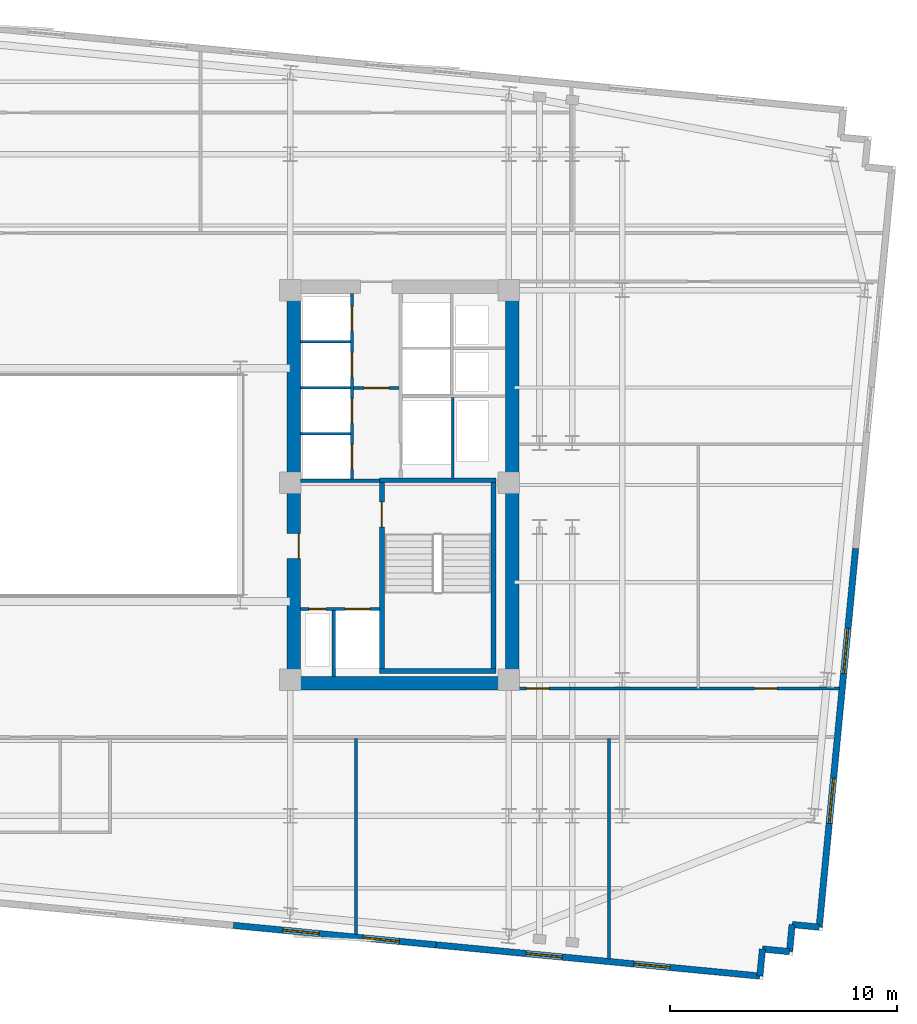
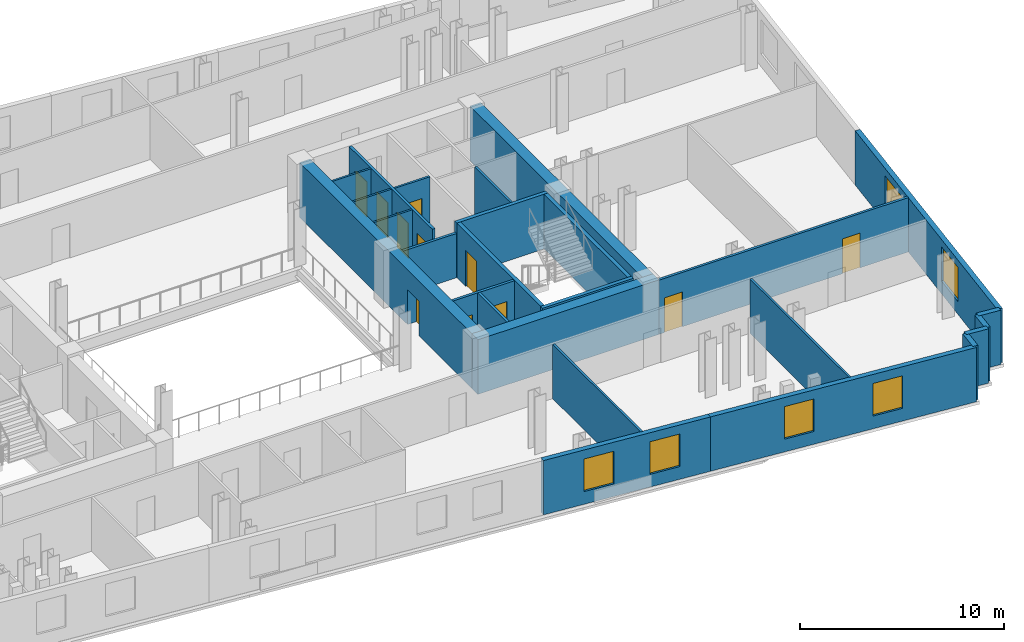
# One storey, part 5 of 9: 26 walls, 11 doors, 6 windows, 17 openings.
"""IFC4 building model written with IfcOpenShell, lengths in metres."""

from ifc_helpers import new_model, si_unit, direction, frame, frame_2d, origin, place, context, subcontext, project, spatial, rectangle, extrude, material, layer, layer_set, type_object, element, fill, save


model = new_model("IFC4")

# Units and contexts
model_context = context("Model", 3, precision=1e-05, world=origin(), true_north=direction((0.0, 1.0)))
body_context = subcontext(model_context, "Body", "Model", "MODEL_VIEW")
ifc_project = project(units=[si_unit("LENGTHUNIT", "METRE"), si_unit("AREAUNIT", "SQUARE_METRE"), si_unit("VOLUMEUNIT", "CUBIC_METRE"), si_unit("PLANEANGLEUNIT", "RADIAN"), si_unit("MASSUNIT", "GRAM", prefix="KILO")], contexts=[model_context])

# Site, building, storey
site_placement = place(None, origin())
site = spatial("IfcSite", under=ifc_project, at=site_placement, CompositionType="ELEMENT")
building_placement = place(site_placement, origin())
building = spatial("IfcBuilding", under=site, at=building_placement, Name="Velakula Bourse", CompositionType="ELEMENT")
storey_placement = place(building_placement, frame((0.0, 0.0, 184.550048828125)))
storey = spatial("IfcBuildingStorey", under=building, at=storey_placement, Name="L50", CompositionType="ELEMENT", Elevation=184.550048828125)

# Wall, opening, door
ifc_material_1 = material(Name="Concrete M50 (fck 50 MPa)", Category="concrete")
ifc_layer_1 = layer(ifc_material_1, 0.2099609375, Name="Concrete M50 (fck 50 MPa)", Category="concrete")
ifc_layer_set_1 = layer_set([ifc_layer_1], Name="Concrete M50 (fck 50 MPa)")
wall_type_1 = type_object("IfcWallType", Name="WL-CORE-210", PredefinedType="SHEAR", material=ifc_layer_set_1)
wall_1_placement = place(storey_placement, frame((12.9951171875, -8.10009765625, 0.0), z_axis=(0.0, 0.0, 1.0), x_axis=(0.0, 1.0, 0.0)))
wall_1 = element("IfcWall", 1, at=wall_1_placement, inside=storey, type_object=wall_type_1, Name="L50 Core E Stairwell Shear Wall IN", PredefinedType="SHEAR", context=body_context, shape_type="SweptSolid", body=[
    extrude(rectangle(XDim=8.2001953125, YDim=0.2099609375, at=frame_2d((4.10009765625, 0.0))), origin(), (0.0, 0.0, 1.0), 3.27001953125),
])
opening_1_placement = place(wall_1_placement, frame((6.25, 0.0, 0.0)))
opening_1 = element("IfcOpeningElement", 2, at=opening_1_placement, cuts=wall_1, Name="Opening D-STE1", PredefinedType="OPENING", context=body_context, shape_type="SweptSolid", body=[
    extrude(rectangle(XDim=1.10009765625, YDim=2.14990234375, at=frame_2d((0.550048828125, 1.074951171875))), frame((0.0, 0.114990234375, 0.0), z_axis=(0.0, -1.0, 0.0), x_axis=(1.0, 0.0, 0.0)), (0.0, 0.0, 1.0), 0.22998046875),
])
ifc_material_2 = material(Name="Galvanised painted hollow steel fire door", Category="steel")
door_type_1 = type_object("IfcDoorType", Name="DR-FD120-1100x2150", OperationType="NOTDEFINED", PredefinedType="DOOR", material=ifc_material_2)
door_1_placement = place(opening_1_placement, origin())
door_1 = element("IfcDoor", 3, at=door_1_placement, inside=storey, type_object=door_type_1, Name="L50 Stair ST-E1 Fire Door", OperationType="SINGLE_SWING_RIGHT", OverallHeight=2.14990234375, OverallWidth=1.10009765625, PredefinedType="DOOR", context=body_context, shape_type="SweptSolid", body=[
    extrude(rectangle(XDim=1.10009765625, YDim=2.14990234375, at=frame_2d((0.550048828125, 1.074951171875))), frame((0.0, 0.02490234375, 0.0), z_axis=(0.0, -1.0, 0.0), x_axis=(1.0, 0.0, 0.0)), (0.0, 0.0, 1.0), 0.050048828125),
])
fill(opening_1, door_1)

# Walls
wall_2_placement = place(storey_placement, frame((17.925048828125, -8.10009765625, 0.0), z_axis=(0.0, 0.0, 1.0), x_axis=(0.0, 1.0, 0.0)))
element("IfcWall", 4, at=wall_2_placement, inside=storey, type_object=wall_type_1, Name="L50 Core E Stairwell Shear Wall OUT", PredefinedType="SHEAR", context=body_context, shape_type="SweptSolid", body=[
    extrude(rectangle(XDim=8.2001953125, YDim=0.2099609375, at=frame_2d((4.10009765625, 0.0))), origin(), (0.0, 0.0, 1.0), 3.27001953125),
])
for number, where, z_axis, x_axis, name in (
    (5, (12.889892578125, -8.205078125, 0.0), (0.0, 0.0, 1.0), (1.0, 0.0, 0.0), "L50 Core E Stairwell Shear Wall S"),
    (6, (18.030029296875, 0.205078125, 0.0), (0.0, 0.0, 1.0), (-1.0, 0.0, 0.0), "L50 Core E Stairwell Shear Wall N"),
):
    element("IfcWall", number, at=place(storey_placement, frame(where, z_axis=z_axis, x_axis=x_axis)), inside=storey, type_object=wall_type_1, Name=name, PredefinedType="SHEAR", context=body_context, shape_type="SweptSolid", body=[
        extrude(rectangle(XDim=5.14013671875, YDim=0.2099609375, at=frame_2d((2.570068359375, 0.0))), origin(), (0.0, 0.0, 1.0), 3.27001953125),
    ])
ifc_material_3 = material(Name="Concrete M70 (fck 70 MPa)", Category="concrete")
ifc_layer_2 = layer(ifc_material_3, 0.60009765625, Name="Concrete M70 (fck 70 MPa)", Category="concrete")
ifc_layer_set_2 = layer_set([ifc_layer_2], Name="Concrete M70 (fck 70 MPa)")
wall_type_2 = type_object("IfcWallType", Name="WL-CORE-600", PredefinedType="SHEAR", material=ifc_layer_set_2)
wall_3_placement = place(storey_placement, frame((8.800048828125, -8.75, 0.0), z_axis=(0.0, 0.0, 1.0), x_axis=(1.0, 0.0, 0.0)))
element("IfcWall", 7, at=wall_3_placement, inside=storey, type_object=wall_type_2, Name="L50 Core E Shear Wall S", PredefinedType="SHEAR", context=body_context, shape_type="SweptSolid", body=[
    extrude(rectangle(XDim=10.25, YDim=0.60009765625, at=frame_2d((5.125, 0.0))), origin(), (0.0, 0.0, 1.0), 3.27001953125),
])

# Wall, opening, door
wall_4_placement = place(storey_placement, frame((9.10009765625, -8.449951171875, 0.0), z_axis=(0.0, 0.0, 1.0), x_axis=(0.0, 1.0, 0.0)))
wall_4 = element("IfcWall", 8, at=wall_4_placement, inside=storey, type_object=wall_type_2, Name="L50 Core E Shear Wall W", PredefinedType="SHEAR", context=body_context, shape_type="SweptSolid", body=[
    extrude(rectangle(XDim=16.89990234375, YDim=0.60009765625, at=frame_2d((8.449951171875, 0.0))), origin(), (0.0, 0.0, 1.0), 3.27001953125),
])
opening_2_placement = place(wall_4_placement, frame((5.199951171875, 0.0, 0.0)))
opening_2 = element("IfcOpeningElement", 9, at=opening_2_placement, cuts=wall_4, Name="Opening D-FLE", PredefinedType="OPENING", context=body_context, shape_type="SweptSolid", body=[
    extrude(rectangle(XDim=1.10009765625, YDim=2.080078125, at=frame_2d((0.550048828125, 1.0400390625))), frame((0.0, 0.31005859375, 0.0), z_axis=(0.0, -1.0, 0.0), x_axis=(1.0, 0.0, 0.0)), (0.0, 0.0, 1.0), 0.6201171875),
])
door_type_2 = type_object("IfcDoorType", Name="DR-FD120-1100", OperationType="NOTDEFINED", PredefinedType="DOOR", material=ifc_material_2)
door_2_placement = place(opening_2_placement, origin())
door_2 = element("IfcDoor", 10, at=door_2_placement, inside=storey, type_object=door_type_2, Name="L50 Firefighting Lobby E Corridor Fire Door", OperationType="SINGLE_SWING_RIGHT", OverallHeight=2.080078125, OverallWidth=1.10009765625, PredefinedType="DOOR", context=body_context, shape_type="SweptSolid", body=[
    extrude(rectangle(XDim=1.10009765625, YDim=2.080078125, at=frame_2d((0.550048828125, 1.0400390625))), frame((0.0, -0.205078125, 0.0), z_axis=(0.0, -1.0, 0.0), x_axis=(1.0, 0.0, 0.0)), (0.0, 0.0, 1.0), 0.050048828125),
])
fill(opening_2, door_2)

# Wall
wall_5_placement = place(storey_placement, frame((18.75, -8.449951171875, 0.0), z_axis=(0.0, 0.0, 1.0), x_axis=(0.0, 1.0, 0.0)))
element("IfcWall", 11, at=wall_5_placement, inside=storey, type_object=wall_type_2, Name="L50 Core E Shear Wall E", PredefinedType="SHEAR", context=body_context, shape_type="SweptSolid", body=[
    extrude(rectangle(XDim=16.89990234375, YDim=0.60009765625, at=frame_2d((8.449951171875, 0.0))), origin(), (0.0, 0.0, 1.0), 3.27001953125),
])

# Wall, openings, windows
ifc_material_4 = material(Name="Red kilned clay facing brick masonry", Category="masonry")
ifc_layer_3 = layer(ifc_material_4, 0.280029296875, Name="Red kilned clay facing brick masonry", Category="masonry")
ifc_layer_set_3 = layer_set([ifc_layer_3], Name="Red kilned clay facing brick masonry")
wall_type_3 = type_object("IfcWallType", Name="WL-EXT-BRK-280", PredefinedType="STANDARD", material=ifc_layer_set_3)
wall_6_placement = place(storey_placement, frame((15.398681640625, -20.295654296875, 0.0), z_axis=(0.0, 0.0, 1.0), x_axis=(-0.995394455533, 0.09586385082, 0.0)))
wall_6 = element("IfcWall", 12, at=wall_6_placement, inside=storey, type_object=wall_type_3, Name="L50 S Brick Spandrel Wall B4", PredefinedType="STANDARD", context=body_context, shape_type="SweptSolid", body=[
    extrude(rectangle(XDim=9.000244140625, YDim=0.280029296875, at=frame_2d((4.5, 0.0))), origin(), (0.0, 0.0, 1.0), 3.25),
])
opening_3_placement = place(wall_6_placement, frame((1.64990234375, 0.0, 0.760009765625)))
opening_3 = element("IfcOpeningElement", 13, at=opening_3_placement, cuts=wall_6, Name="Opening W-02", PredefinedType="OPENING", context=body_context, shape_type="SweptSolid", body=[
    extrude(rectangle(XDim=1.60009765625, YDim=1.949951171875, at=frame_2d((0.800048828125, 0.97509765625))), frame((0.0, 0.14990234375, 0.0), z_axis=(0.0, -1.0, 0.0), x_axis=(1.0, 0.0, 0.0)), (0.0, 0.0, 1.0), 0.300048828125),
])
opening_4_placement = place(wall_6_placement, frame((5.199951171875, 0.0, 0.760009765625)))
opening_4 = element("IfcOpeningElement", 14, at=opening_4_placement, cuts=wall_6, Name="Opening W-02", PredefinedType="OPENING", context=body_context, shape_type="SweptSolid", body=[
    extrude(rectangle(XDim=1.60009765625, YDim=1.949951171875, at=frame_2d((0.800048828125, 0.97509765625))), frame((0.0, 0.14990234375, 0.0), z_axis=(0.0, -1.0, 0.0), x_axis=(1.0, 0.0, 0.0)), (0.0, 0.0, 1.0), 0.300048828125),
])
ifc_material_5 = material(Name="Double-glazed solar-control Low-E glass", Category="glass")
window_type_1 = type_object("IfcWindowType", Name="WIN-TWR-1600x2100", PartitioningType="SINGLE_PANEL", PredefinedType="WINDOW", material=ifc_material_5)
window_1_placement = place(opening_3_placement, origin())
window_1 = element("IfcWindow", 15, at=window_1_placement, inside=storey, type_object=window_type_1, Name="L50 Deep-Set Recessed Window 1", OverallHeight=1.949951171875, OverallWidth=1.60009765625, PartitioningType="SINGLE_PANEL", PredefinedType="WINDOW", context=body_context, shape_type="SweptSolid", body=[
    extrude(rectangle(XDim=1.60009765625, YDim=1.949951171875, at=frame_2d((0.800048828125, 0.97509765625))), frame((0.0, 0.030029296875, 0.0), z_axis=(0.0, -1.0, 0.0), x_axis=(1.0, 0.0, 0.0)), (0.0, 0.0, 1.0), 0.06005859375),
])
fill(opening_3, window_1)
window_2_placement = place(opening_4_placement, origin())
window_2 = element("IfcWindow", 16, at=window_2_placement, inside=storey, type_object=window_type_1, Name="L50 Deep-Set Recessed Window 2", OverallHeight=1.949951171875, OverallWidth=1.60009765625, PartitioningType="SINGLE_PANEL", PredefinedType="WINDOW", context=body_context, shape_type="SweptSolid", body=[
    extrude(rectangle(XDim=1.60009765625, YDim=1.949951171875, at=frame_2d((0.800048828125, 0.97509765625))), frame((0.0, 0.030029296875, 0.0), z_axis=(0.0, -1.0, 0.0), x_axis=(1.0, 0.0, 0.0)), (0.0, 0.0, 1.0), 0.06005859375),
])
fill(opening_4, window_2)

wall_7_placement = place(storey_placement, frame((29.672607421875, -21.669921875, 0.0), z_axis=(0.0, 0.0, 1.0), x_axis=(-0.995397230529, 0.095835032509, 0.0)))
wall_7 = element("IfcWall", 17, at=wall_7_placement, inside=storey, type_object=wall_type_3, Name="L50 S Brick Spandrel Wall B5", PredefinedType="STANDARD", context=body_context, shape_type="SweptSolid", body=[
    extrude(rectangle(XDim=14.33984375, YDim=0.280029296875, at=frame_2d((7.169921875, 0.0))), origin(), (0.0, 0.0, 1.0), 3.25),
])
opening_5_placement = place(wall_7_placement, frame((3.97998046875, 0.0, 0.760009765625)))
opening_5 = element("IfcOpeningElement", 18, at=opening_5_placement, cuts=wall_7, Name="Opening W-02", PredefinedType="OPENING", context=body_context, shape_type="SweptSolid", body=[
    extrude(rectangle(XDim=1.60009765625, YDim=1.949951171875, at=frame_2d((0.800048828125, 0.97509765625))), frame((0.0, 0.14990234375, 0.0), z_axis=(0.0, -1.0, 0.0), x_axis=(1.0, 0.0, 0.0)), (0.0, 0.0, 1.0), 0.300048828125),
])
opening_6_placement = place(wall_7_placement, frame((8.760009765625, 0.0, 0.760009765625)))
opening_6 = element("IfcOpeningElement", 19, at=opening_6_placement, cuts=wall_7, Name="Opening W-02", PredefinedType="OPENING", context=body_context, shape_type="SweptSolid", body=[
    extrude(rectangle(XDim=1.60009765625, YDim=1.949951171875, at=frame_2d((0.800048828125, 0.97509765625))), frame((0.0, 0.14990234375, 0.0), z_axis=(0.0, -1.0, 0.0), x_axis=(1.0, 0.0, 0.0)), (0.0, 0.0, 1.0), 0.300048828125),
])
window_3_placement = place(opening_5_placement, origin())
window_3 = element("IfcWindow", 20, at=window_3_placement, inside=storey, type_object=window_type_1, Name="L50 Deep-Set Recessed Window 1", OverallHeight=1.949951171875, OverallWidth=1.60009765625, PartitioningType="SINGLE_PANEL", PredefinedType="WINDOW", context=body_context, shape_type="SweptSolid", body=[
    extrude(rectangle(XDim=1.60009765625, YDim=1.949951171875, at=frame_2d((0.800048828125, 0.97509765625))), frame((0.0, 0.030029296875, 0.0), z_axis=(0.0, -1.0, 0.0), x_axis=(1.0, 0.0, 0.0)), (0.0, 0.0, 1.0), 0.06005859375),
])
fill(opening_5, window_3)
window_4_placement = place(opening_6_placement, origin())
window_4 = element("IfcWindow", 21, at=window_4_placement, inside=storey, type_object=window_type_1, Name="L50 Deep-Set Recessed Window 2", OverallHeight=1.949951171875, OverallWidth=1.60009765625, PartitioningType="SINGLE_PANEL", PredefinedType="WINDOW", context=body_context, shape_type="SweptSolid", body=[
    extrude(rectangle(XDim=1.60009765625, YDim=1.949951171875, at=frame_2d((0.800048828125, 0.97509765625))), frame((0.0, 0.030029296875, 0.0), z_axis=(0.0, -1.0, 0.0), x_axis=(1.0, 0.0, 0.0)), (0.0, 0.0, 1.0), 0.06005859375),
])
fill(opening_6, window_4)

wall_8_placement = place(storey_placement, frame((33.90087890625, -2.79833984375, 0.0), z_axis=(0.0, 0.0, 1.0), x_axis=(-0.095853434568, -0.99539545864, 0.0)))
wall_8 = element("IfcWall", 22, at=wall_8_placement, inside=storey, type_object=wall_type_3, Name="L50 E Brick End Wall W1", PredefinedType="STANDARD", context=body_context, shape_type="SweptSolid", body=[
    extrude(rectangle(XDim=16.7900390625, YDim=0.280029296875, at=frame_2d((8.39501953125, 0.0))), origin(), (0.0, 0.0, 1.0), 3.25),
])
opening_7_placement = place(wall_8_placement, frame((3.546630859375, 0.0, 0.760009765625)))
opening_7 = element("IfcOpeningElement", 23, at=opening_7_placement, cuts=wall_8, Name="Opening W-05", PredefinedType="OPENING", context=body_context, shape_type="SweptSolid", body=[
    extrude(rectangle(XDim=2.0, YDim=2.050048828125, at=frame_2d((1.0, 1.02490234375))), frame((0.0, 0.14990234375, 0.0), z_axis=(0.0, -1.0, 0.0), x_axis=(1.0, 0.0, 0.0)), (0.0, 0.0, 1.0), 0.300048828125),
])
opening_8_placement = place(wall_8_placement, frame((10.193359375, 0.0, 0.760009765625)))
opening_8 = element("IfcOpeningElement", 24, at=opening_8_placement, cuts=wall_8, Name="Opening W-05", PredefinedType="OPENING", context=body_context, shape_type="SweptSolid", body=[
    extrude(rectangle(XDim=2.0, YDim=2.050048828125, at=frame_2d((1.0, 1.02490234375))), frame((0.0, 0.14990234375, 0.0), z_axis=(0.0, -1.0, 0.0), x_axis=(1.0, 0.0, 0.0)), (0.0, 0.0, 1.0), 0.300048828125),
])
window_type_2 = type_object("IfcWindowType", Name="WIN-TWR-2000x2200", PartitioningType="DOUBLE_PANEL_VERTICAL", PredefinedType="WINDOW", material=ifc_material_5)
window_5_placement = place(opening_7_placement, origin())
window_5 = element("IfcWindow", 25, at=window_5_placement, inside=storey, type_object=window_type_2, Name="L50 Deep-Set Recessed Window 1", OverallHeight=2.050048828125, OverallWidth=2.0, PartitioningType="DOUBLE_PANEL_VERTICAL", PredefinedType="WINDOW", context=body_context, shape_type="SweptSolid", body=[
    extrude(rectangle(XDim=2.0, YDim=2.050048828125, at=frame_2d((1.0, 1.02490234375))), frame((0.0, 0.030029296875, 0.0), z_axis=(0.0, -1.0, 0.0), x_axis=(1.0, 0.0, 0.0)), (0.0, 0.0, 1.0), 0.06005859375),
])
fill(opening_7, window_5)
window_6_placement = place(opening_8_placement, origin())
window_6 = element("IfcWindow", 26, at=window_6_placement, inside=storey, type_object=window_type_2, Name="L50 Deep-Set Recessed Window 2", OverallHeight=2.050048828125, OverallWidth=2.0, PartitioningType="DOUBLE_PANEL_VERTICAL", PredefinedType="WINDOW", context=body_context, shape_type="SweptSolid", body=[
    extrude(rectangle(XDim=2.0, YDim=2.050048828125, at=frame_2d((1.0, 1.02490234375))), frame((0.0, 0.030029296875, 0.0), z_axis=(0.0, -1.0, 0.0), x_axis=(1.0, 0.0, 0.0)), (0.0, 0.0, 1.0), 0.06005859375),
])
fill(opening_8, window_6)

# Walls
for number, where, z_axis, x_axis, name in (
    (27, (29.672607421875, -21.669921875, 0.0), (0.0, 0.0, 1.0), (0.095836473879, 0.995397091755, 0.0), "L50 Serrated Corner Brick Wall SE-1"),
    (28, (29.78759765625, -20.4755859375, 0.0), (0.0, 0.0, 1.0), (0.995397091755, -0.095836473879, 0.0), "L50 Serrated Corner Brick Wall SE-2"),
):
    element("IfcWall", number, at=place(storey_placement, frame(where, z_axis=z_axis, x_axis=x_axis)), inside=storey, type_object=wall_type_3, Name=name, PredefinedType="STANDARD", context=body_context, shape_type="SweptSolid", body=[
        extrude(rectangle(XDim=1.199951171875, YDim=0.280029296875, at=frame_2d((0.60009765625, 0.0))), origin(), (0.0, 0.0, 1.0), 3.25),
    ])
wall_9_placement = place(storey_placement, frame((30.98193359375, -20.590576171875, 0.0), z_axis=(0.0, 0.0, 1.0), x_axis=(0.096018626938, 0.995379537303, 0.0)))
element("IfcWall", 29, at=wall_9_placement, inside=storey, type_object=wall_type_3, Name="L50 Serrated Corner Brick Wall SE-3", PredefinedType="STANDARD", context=body_context, shape_type="SweptSolid", body=[
    extrude(rectangle(XDim=1.2001953125, YDim=0.280029296875, at=frame_2d((0.60009765625, 0.0))), origin(), (0.0, 0.0, 1.0), 3.25),
])
wall_10_placement = place(storey_placement, frame((31.09716796875, -19.39599609375, 0.0), z_axis=(0.0, 0.0, 1.0), x_axis=(0.995397091755, -0.095836473879, 0.0)))
element("IfcWall", 30, at=wall_10_placement, inside=storey, type_object=wall_type_3, Name="L50 Serrated Corner Brick Wall SE-4", PredefinedType="STANDARD", context=body_context, shape_type="SweptSolid", body=[
    extrude(rectangle(XDim=1.199951171875, YDim=0.280029296875, at=frame_2d((0.60009765625, 0.0))), origin(), (0.0, 0.0, 1.0), 3.25),
])

# Wall, opening, door
ifc_material_6 = material(Name="Fire-rated double-layer gypsum drywall partition", Category="gypsum")
ifc_layer_4 = layer(ifc_material_6, 0.1201171875, Name="Fire-rated double-layer gypsum drywall partition", Category="gypsum")
ifc_layer_set_4 = layer_set([ifc_layer_4], Name="Fire-rated double-layer gypsum drywall partition")
wall_type_4 = type_object("IfcWallType", Name="WL-PART-120", PredefinedType="STANDARD", material=ifc_layer_set_4)
wall_11_placement = place(storey_placement, frame((11.75, 4.280029296875, 0.0), z_axis=(0.0, 0.0, 1.0), x_axis=(1.0, 0.0, 0.0)))
wall_11 = element("IfcWall", 31, at=wall_11_placement, inside=storey, type_object=wall_type_4, Name="L50 Interior Partition WL-CRE-L50-LL-K2", PredefinedType="STANDARD", context=body_context, shape_type="SweptSolid", body=[
    extrude(rectangle(XDim=2.0, YDim=0.1201171875, at=frame_2d((1.0, 0.0))), origin(), (0.0, 0.0, 1.0), 3.25),
])
opening_9_placement = place(wall_11_placement, frame((0.449951171875, 0.0, 0.0)))
opening_9 = element("IfcOpeningElement", 32, at=opening_9_placement, cuts=wall_11, Name="Opening D-LK2", PredefinedType="OPENING", context=body_context, shape_type="SweptSolid", body=[
    extrude(rectangle(XDim=1.10009765625, YDim=2.10009765625, at=frame_2d((0.550048828125, 1.050048828125))), frame((0.0, 0.070068359375, 0.0), z_axis=(0.0, -1.0, 0.0), x_axis=(1.0, 0.0, 0.0)), (0.0, 0.0, 1.0), 0.14013671875),
])
ifc_material_7 = material(Name="Fire-rated hardwood flush architectural door", Category="wood")
door_type_3 = type_object("IfcDoorType", Name="DR-FD60-1100x2100", OperationType="NOTDEFINED", PredefinedType="DOOR", material=ifc_material_7)
door_3_placement = place(opening_9_placement, origin())
door_3 = element("IfcDoor", 33, at=door_3_placement, inside=storey, type_object=door_type_3, Name="L50 Core E Lift Lobby Zone Door", OperationType="SINGLE_SWING_LEFT", OverallHeight=2.10009765625, OverallWidth=1.10009765625, PredefinedType="DOOR", context=body_context, shape_type="SweptSolid", body=[
    extrude(rectangle(XDim=1.10009765625, YDim=2.10009765625, at=frame_2d((0.550048828125, 1.050048828125))), frame((0.0, 0.02490234375, 0.0), z_axis=(0.0, -1.0, 0.0), x_axis=(1.0, 0.0, 0.0)), (0.0, 0.0, 1.0), 0.050048828125),
])
fill(opening_9, door_3)

# Walls
for number, where, z_axis, x_axis, name in (
    (34, (9.39990234375, 2.2548828125, 0.0), (0.0, 0.0, 1.0), (1.0, 0.0, 0.0), "L50 Interior Partition WL-CRE-L50-BDIV-0"),
    (35, (9.39990234375, 4.284912109375, 0.0), (0.0, 0.0, 1.0), (1.0, 0.0, 0.0), "L50 Interior Partition WL-CRE-L50-BDIV-1"),
    (36, (9.39990234375, 6.31494140625, 0.0), (0.0, 0.0, 1.0), (1.0, 0.0, 0.0), "L50 Interior Partition WL-CRE-L50-BDIV-2"),
):
    element("IfcWall", number, at=place(storey_placement, frame(where, z_axis=z_axis, x_axis=x_axis)), inside=storey, type_object=wall_type_4, Name=name, PredefinedType="STANDARD", context=body_context, shape_type="SweptSolid", body=[
        extrude(rectangle(XDim=2.2001953125, YDim=0.110107421875, at=frame_2d((1.10009765625, 0.0))), origin(), (0.0, 0.0, 1.0), 3.25),
    ])
wall_12_placement = place(storey_placement, frame((16.125, 0.27001953125, 0.0), z_axis=(0.0, 0.0, 1.0), x_axis=(0.0, 1.0, 0.0)))
element("IfcWall", 37, at=wall_12_placement, inside=storey, type_object=wall_type_4, Name="L50 Interior Partition WL-CRE-L50-SVL-E", PredefinedType="STANDARD", context=body_context, shape_type="SweptSolid", body=[
    extrude(rectangle(XDim=3.590087890625, YDim=0.1201171875, at=frame_2d((1.794921875, 0.0))), origin(), (0.0, 0.0, 1.0), 3.25),
])
wall_13_placement = place(storey_placement, frame((11.85009765625, -19.833251953125, 0.0), z_axis=(0.0, 0.0, 1.0), x_axis=(0.0, 1.0, 0.0)))
element("IfcWall", 38, at=wall_13_placement, inside=storey, type_object=wall_type_4, Name="L50 Interior Partition WL-INT-L50-SR-D7", PredefinedType="STANDARD", context=body_context, shape_type="SweptSolid", body=[
    extrude(rectangle(XDim=8.643310546875, YDim=0.1201171875, at=frame_2d((4.32177734375, 0.0))), origin(), (0.0, 0.0, 1.0), 3.25),
])
wall_14_placement = place(storey_placement, frame((23.01904296875, -20.90869140625, 0.0), z_axis=(0.0, 0.0, 1.0), x_axis=(0.0, 1.0, 0.0)))
element("IfcWall", 39, at=wall_14_placement, inside=storey, type_object=wall_type_4, Name="L50 Interior Partition WL-INT-L50-SR-D8", PredefinedType="STANDARD", context=body_context, shape_type="SweptSolid", body=[
    extrude(rectangle(XDim=9.71875, YDim=0.1201171875, at=frame_2d((4.859375, 0.0))), origin(), (0.0, 0.0, 1.0), 3.25),
])

# Wall, openings, doors
ifc_layer_5 = layer(ifc_material_6, 0.139892578125, Name="Fire-rated double-layer gypsum drywall partition", Category="gypsum")
ifc_layer_set_5 = layer_set([ifc_layer_5], Name="Fire-rated double-layer gypsum drywall partition")
wall_type_5 = type_object("IfcWallType", Name="WL-PART-140", PredefinedType="STANDARD", material=ifc_layer_set_5)
wall_15_placement = place(storey_placement, frame((19.050048828125, -8.97998046875, 0.0), z_axis=(0.0, 0.0, 1.0), x_axis=(1.0, 0.0, 0.0)))
wall_15 = element("IfcWall", 40, at=wall_15_placement, inside=storey, type_object=wall_type_5, Name="L50 Interior Partition WL-INT-L50-E-SC", PredefinedType="STANDARD", context=body_context, shape_type="SweptSolid", body=[
    extrude(rectangle(XDim=14.135009765625, YDim=0.139892578125, at=frame_2d((7.0673828125, 0.0))), origin(), (0.0, 0.0, 1.0), 3.25),
])
opening_10_placement = place(wall_15_placement, frame((0.320068359375, 0.0, 0.0)))
opening_10 = element("IfcOpeningElement", 41, at=opening_10_placement, cuts=wall_15, Name="Opening D-OF1", PredefinedType="OPENING", context=body_context, shape_type="SweptSolid", body=[
    extrude(rectangle(XDim=1.0, YDim=2.080078125, at=frame_2d((0.5, 1.0400390625))), frame((0.0, 0.079833984375, 0.0), z_axis=(0.0, -1.0, 0.0), x_axis=(1.0, 0.0, 0.0)), (0.0, 0.0, 1.0), 0.159912109375),
])
opening_11_placement = place(wall_15_placement, frame((10.388427734375, 0.0, 0.0)))
opening_11 = element("IfcOpeningElement", 42, at=opening_11_placement, cuts=wall_15, Name="Opening D-OF1", PredefinedType="OPENING", context=body_context, shape_type="SweptSolid", body=[
    extrude(rectangle(XDim=1.0, YDim=2.080078125, at=frame_2d((0.5, 1.0400390625))), frame((0.0, 0.079833984375, 0.0), z_axis=(0.0, -1.0, 0.0), x_axis=(1.0, 0.0, 0.0)), (0.0, 0.0, 1.0), 0.159912109375),
])
door_type_4 = type_object("IfcDoorType", Name="DR-OFF-1000", OperationType="NOTDEFINED", PredefinedType="DOOR", material=ifc_material_7)
door_4_placement = place(opening_10_placement, origin())
door_4 = element("IfcDoor", 43, at=door_4_placement, inside=storey, type_object=door_type_4, Name="L50 Commodity Futures Workspace Door", OperationType="SINGLE_SWING_LEFT", OverallHeight=2.080078125, OverallWidth=1.0, PredefinedType="DOOR", context=body_context, shape_type="SweptSolid", body=[
    extrude(rectangle(XDim=1.0, YDim=2.080078125, at=frame_2d((0.5, 1.0400390625))), frame((0.0, 0.02490234375, 0.0), z_axis=(0.0, -1.0, 0.0), x_axis=(1.0, 0.0, 0.0)), (0.0, 0.0, 1.0), 0.050048828125),
])
fill(opening_10, door_4)
door_5_placement = place(opening_11_placement, origin())
door_5 = element("IfcDoor", 44, at=door_5_placement, inside=storey, type_object=door_type_4, Name="L50 Primary Dealer Office Door", OperationType="SINGLE_SWING_RIGHT", OverallHeight=2.080078125, OverallWidth=1.0, PredefinedType="DOOR", context=body_context, shape_type="SweptSolid", body=[
    extrude(rectangle(XDim=1.0, YDim=2.080078125, at=frame_2d((0.5, 1.0400390625))), frame((0.0, 0.02490234375, 0.0), z_axis=(0.0, -1.0, 0.0), x_axis=(1.0, 0.0, 0.0)), (0.0, 0.0, 1.0), 0.050048828125),
])
fill(opening_11, door_5)

ifc_material_8 = material(Name="Autoclaved aerated concrete blockwork masonry", Category="masonry")
ifc_layer_6 = layer(ifc_material_8, 0.14990234375, Name="Autoclaved aerated concrete blockwork masonry", Category="masonry")
ifc_layer_set_6 = layer_set([ifc_layer_6], Name="Autoclaved aerated concrete blockwork masonry")
wall_type_6 = type_object("IfcWallType", Name="WL-SHAFT-150", PredefinedType="STANDARD", material=ifc_layer_set_6)
wall_16_placement = place(storey_placement, frame((9.39990234375, -5.47509765625, 0.0), z_axis=(0.0, 0.0, 1.0), x_axis=(1.0, 0.0, 0.0)))
wall_16 = element("IfcWall", 45, at=wall_16_placement, inside=storey, type_object=wall_type_6, Name="L50 Interior Partition WL-CRE-L50-FFL-N", PredefinedType="STANDARD", context=body_context, shape_type="SweptSolid", body=[
    extrude(rectangle(XDim=3.4951171875, YDim=0.14990234375, at=frame_2d((1.74755859375, 0.0))), origin(), (0.0, 0.0, 1.0), 3.25),
])
opening_12_placement = place(wall_16_placement, frame((1.97509765625, 0.0, 0.0)))
opening_12 = element("IfcOpeningElement", 46, at=opening_12_placement, cuts=wall_16, Name="Opening LD-FFL-2", PredefinedType="OPENING", context=body_context, shape_type="SweptSolid", body=[
    extrude(rectangle(XDim=1.10009765625, YDim=2.14990234375, at=frame_2d((0.550048828125, 1.074951171875))), frame((0.0, 0.0849609375, 0.0), z_axis=(0.0, -1.0, 0.0), x_axis=(1.0, 0.0, 0.0)), (0.0, 0.0, 1.0), 0.169921875),
])
opening_13_placement = place(wall_16_placement, frame((0.375, 0.0, 0.0)))
opening_13 = element("IfcOpeningElement", 47, at=opening_13_placement, cuts=wall_16, Name="Opening D-RS1", PredefinedType="OPENING", context=body_context, shape_type="SweptSolid", body=[
    extrude(rectangle(XDim=0.75, YDim=2.050048828125, at=frame_2d((0.375, 1.02490234375))), frame((0.0, 0.0849609375, 0.0), z_axis=(0.0, -1.0, 0.0), x_axis=(1.0, 0.0, 0.0)), (0.0, 0.0, 1.0), 0.169921875),
])
door_type_5 = type_object("IfcDoorType", Name="DR-RISER-800", OperationType="NOTDEFINED", PredefinedType="DOOR", material=ifc_material_2)
door_6_placement = place(opening_13_placement, origin())
door_6 = element("IfcDoor", 48, at=door_6_placement, inside=storey, type_object=door_type_5, Name="L50 Fire Riser Access Door", OperationType="SINGLE_SWING_LEFT", OverallHeight=2.050048828125, OverallWidth=0.75, PredefinedType="DOOR", context=body_context, shape_type="SweptSolid", body=[
    extrude(rectangle(XDim=0.75, YDim=2.050048828125, at=frame_2d((0.375, 1.02490234375))), frame((0.0, 0.02490234375, 0.0), z_axis=(0.0, -1.0, 0.0), x_axis=(1.0, 0.0, 0.0)), (0.0, 0.0, 1.0), 0.050048828125),
])
fill(opening_13, door_6)
ifc_material_9 = material(Name="Brushed grade 316 stainless steel", Category="steel")
door_type_6 = type_object("IfcDoorType", Name="DR-SLIDE-FFL-1100", OperationType="DOUBLE_DOOR_SLIDING", PredefinedType="DOOR", material=ifc_material_9)
door_7_placement = place(opening_12_placement, origin())
door_7 = element("IfcDoor", 49, at=door_7_placement, inside=storey, type_object=door_type_6, Name="L50 Firefighting Lift FFL-2 Sliding Landing Door", OperationType="DOUBLE_DOOR_SLIDING", OverallHeight=2.14990234375, OverallWidth=1.10009765625, PredefinedType="DOOR", context=body_context, shape_type="SweptSolid", body=[
    extrude(rectangle(XDim=1.10009765625, YDim=2.14990234375, at=frame_2d((0.550048828125, 1.074951171875))), frame((0.0, 0.02490234375, 0.0), z_axis=(0.0, -1.0, 0.0), x_axis=(1.0, 0.0, 0.0)), (0.0, 0.0, 1.0), 0.050048828125),
])
fill(opening_12, door_7)

# Walls
wall_17_placement = place(storey_placement, frame((10.875, -8.449951171875, 0.0), z_axis=(0.0, 0.0, 1.0), x_axis=(0.0, 1.0, 0.0)))
element("IfcWall", 50, at=wall_17_placement, inside=storey, type_object=wall_type_6, Name="L50 Interior Partition WL-CRE-L50-FR-DIV", PredefinedType="STANDARD", context=body_context, shape_type="SweptSolid", body=[
    extrude(rectangle(XDim=2.89990234375, YDim=0.14990234375, at=frame_2d((1.449951171875, 0.0))), origin(), (0.0, 0.0, 1.0), 3.25),
])
wall_18_placement = place(storey_placement, frame((9.39990234375, 0.18994140625, 0.0), z_axis=(0.0, 0.0, 1.0), x_axis=(1.0, 0.0, 0.0)))
element("IfcWall", 51, at=wall_18_placement, inside=storey, type_object=wall_type_6, Name="L50 Interior Partition WL-CRE-L50-FF-TOP", PredefinedType="STANDARD", context=body_context, shape_type="SweptSolid", body=[
    extrude(rectangle(XDim=3.489990234375, YDim=0.14990234375, at=frame_2d((1.7451171875, 0.0))), origin(), (0.0, 0.0, 1.0), 2.64501953125),
])

# Wall, openings, doors
wall_19_placement = place(storey_placement, frame((11.675048828125, 0.27001953125, 0.0), z_axis=(0.0, 0.0, 1.0), x_axis=(0.0, 1.0, 0.0)))
wall_19 = element("IfcWall", 52, at=wall_19_placement, inside=storey, type_object=wall_type_6, Name="L50 Interior Partition WL-CRE-L50-BANK-F", PredefinedType="STANDARD", context=body_context, shape_type="SweptSolid", body=[
    extrude(rectangle(XDim=8.179931640625, YDim=0.14990234375, at=frame_2d((4.08984375, 0.0))), origin(), (0.0, 0.0, 1.0), 3.25),
])
opening_14_placement = place(wall_19_placement, frame((0.419921875, 0.0, 0.0)))
opening_14 = element("IfcOpeningElement", 53, at=opening_14_placement, cuts=wall_19, Name="Opening LD-P5", PredefinedType="OPENING", context=body_context, shape_type="SweptSolid", body=[
    extrude(rectangle(XDim=1.10009765625, YDim=2.10009765625, at=frame_2d((0.550048828125, 1.050048828125))), frame((0.0, 0.0849609375, 0.0), z_axis=(0.0, -1.0, 0.0), x_axis=(1.0, 0.0, 0.0)), (0.0, 0.0, 1.0), 0.169921875),
])
opening_15_placement = place(wall_19_placement, frame((2.449951171875, 0.0, 0.0)))
opening_15 = element("IfcOpeningElement", 54, at=opening_15_placement, cuts=wall_19, Name="Opening LD-P6", PredefinedType="OPENING", context=body_context, shape_type="SweptSolid", body=[
    extrude(rectangle(XDim=1.10009765625, YDim=2.10009765625, at=frame_2d((0.550048828125, 1.050048828125))), frame((0.0, 0.0849609375, 0.0), z_axis=(0.0, -1.0, 0.0), x_axis=(1.0, 0.0, 0.0)), (0.0, 0.0, 1.0), 0.169921875),
])
opening_16_placement = place(wall_19_placement, frame((4.47998046875, 0.0, 0.0)))
opening_16 = element("IfcOpeningElement", 55, at=opening_16_placement, cuts=wall_19, Name="Opening LD-P7", PredefinedType="OPENING", context=body_context, shape_type="SweptSolid", body=[
    extrude(rectangle(XDim=1.10009765625, YDim=2.10009765625, at=frame_2d((0.550048828125, 1.050048828125))), frame((0.0, 0.0849609375, 0.0), z_axis=(0.0, -1.0, 0.0), x_axis=(1.0, 0.0, 0.0)), (0.0, 0.0, 1.0), 0.169921875),
])
opening_17_placement = place(wall_19_placement, frame((6.510009765625, 0.0, 0.0)))
opening_17 = element("IfcOpeningElement", 56, at=opening_17_placement, cuts=wall_19, Name="Opening LD-P8", PredefinedType="OPENING", context=body_context, shape_type="SweptSolid", body=[
    extrude(rectangle(XDim=1.10009765625, YDim=2.10009765625, at=frame_2d((0.550048828125, 1.050048828125))), frame((0.0, 0.0849609375, 0.0), z_axis=(0.0, -1.0, 0.0), x_axis=(1.0, 0.0, 0.0)), (0.0, 0.0, 1.0), 0.169921875),
])
door_type_7 = type_object("IfcDoorType", Name="DR-SLIDE-LD-1100", OperationType="DOUBLE_DOOR_SLIDING", PredefinedType="DOOR", material=ifc_material_9)
door_8_placement = place(opening_14_placement, origin())
door_8 = element("IfcDoor", 57, at=door_8_placement, inside=storey, type_object=door_type_7, Name="L50 Passenger Lift P5 Sliding Landing Door", OperationType="DOUBLE_DOOR_SLIDING", OverallHeight=2.10009765625, OverallWidth=1.10009765625, PredefinedType="DOOR", context=body_context, shape_type="SweptSolid", body=[
    extrude(rectangle(XDim=1.10009765625, YDim=2.10009765625, at=frame_2d((0.550048828125, 1.050048828125))), frame((0.0, 0.02490234375, 0.0), z_axis=(0.0, -1.0, 0.0), x_axis=(1.0, 0.0, 0.0)), (0.0, 0.0, 1.0), 0.050048828125),
])
fill(opening_14, door_8)
door_9_placement = place(opening_15_placement, origin())
door_9 = element("IfcDoor", 58, at=door_9_placement, inside=storey, type_object=door_type_7, Name="L50 Passenger Lift P6 Sliding Landing Door", OperationType="DOUBLE_DOOR_SLIDING", OverallHeight=2.10009765625, OverallWidth=1.10009765625, PredefinedType="DOOR", context=body_context, shape_type="SweptSolid", body=[
    extrude(rectangle(XDim=1.10009765625, YDim=2.10009765625, at=frame_2d((0.550048828125, 1.050048828125))), frame((0.0, 0.02490234375, 0.0), z_axis=(0.0, -1.0, 0.0), x_axis=(1.0, 0.0, 0.0)), (0.0, 0.0, 1.0), 0.050048828125),
])
fill(opening_15, door_9)
door_10_placement = place(opening_16_placement, origin())
door_10 = element("IfcDoor", 59, at=door_10_placement, inside=storey, type_object=door_type_7, Name="L50 Passenger Lift P7 Sliding Landing Door", OperationType="DOUBLE_DOOR_SLIDING", OverallHeight=2.10009765625, OverallWidth=1.10009765625, PredefinedType="DOOR", context=body_context, shape_type="SweptSolid", body=[
    extrude(rectangle(XDim=1.10009765625, YDim=2.10009765625, at=frame_2d((0.550048828125, 1.050048828125))), frame((0.0, 0.02490234375, 0.0), z_axis=(0.0, -1.0, 0.0), x_axis=(1.0, 0.0, 0.0)), (0.0, 0.0, 1.0), 0.050048828125),
])
fill(opening_16, door_10)
door_11_placement = place(opening_17_placement, origin())
door_11 = element("IfcDoor", 60, at=door_11_placement, inside=storey, type_object=door_type_7, Name="L50 Passenger Lift P8 Sliding Landing Door", OperationType="DOUBLE_DOOR_SLIDING", OverallHeight=2.10009765625, OverallWidth=1.10009765625, PredefinedType="DOOR", context=body_context, shape_type="SweptSolid", body=[
    extrude(rectangle(XDim=1.10009765625, YDim=2.10009765625, at=frame_2d((0.550048828125, 1.050048828125))), frame((0.0, 0.02490234375, 0.0), z_axis=(0.0, -1.0, 0.0), x_axis=(1.0, 0.0, 0.0)), (0.0, 0.0, 1.0), 0.050048828125),
])
fill(opening_17, door_11)

save(model, "model.ifc")
